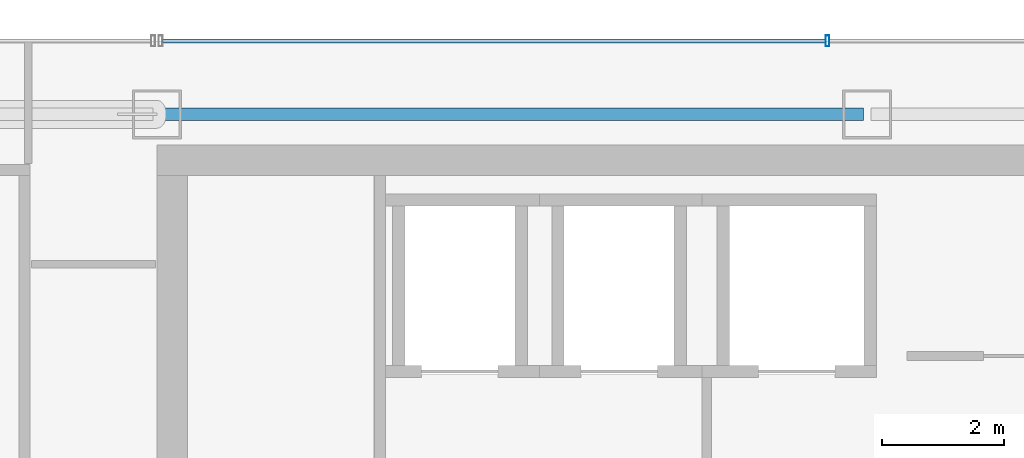
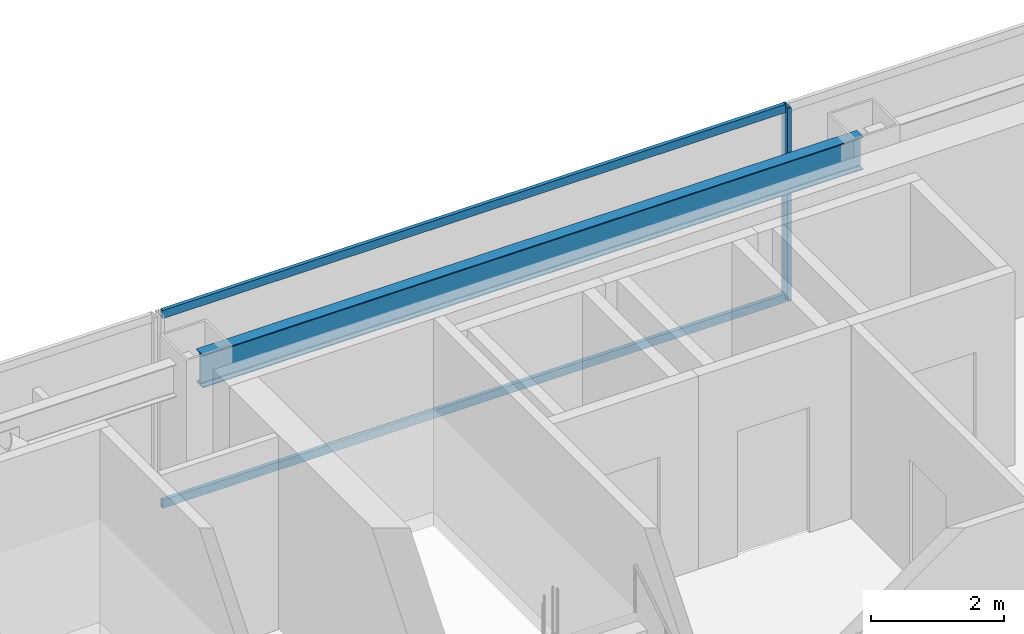
# One storey, part 24 of 36: 3 members, 1 beam, 1 element without a shape of its own.
"""IFC4 building model written with IfcOpenShell, lengths in metres."""

from ifc_helpers import new_model, si_unit, direction, frame, origin, origin_2d, place, context, subcontext, project, spatial, hollow_rectangle, i_section, extrude, material, material_profile, profile_set, type_object, element, aggregate, save


model = new_model("IFC4")

# Units and contexts
model_context = context("Model", 3, precision=1e-05, world=origin(), true_north=direction((0.0, 1.0)))
body_context = subcontext(model_context, "Body", "Model", "MODEL_VIEW")
ifc_project = project(units=[si_unit("LENGTHUNIT", "METRE"), si_unit("AREAUNIT", "SQUARE_METRE"), si_unit("VOLUMEUNIT", "CUBIC_METRE"), si_unit("PLANEANGLEUNIT", "RADIAN"), si_unit("MASSUNIT", "GRAM", prefix="KILO")], contexts=[model_context])

# Site, building, storey
site_placement = place(None, origin())
site = spatial("IfcSite", under=ifc_project, at=site_placement, CompositionType="ELEMENT")
building_placement = place(site_placement, origin())
building = spatial("IfcBuilding", under=site, at=building_placement, Name="Saevonmaru Cultural Tower", CompositionType="ELEMENT")
storey_placement = place(building_placement, frame((0.0, 0.0, 198.0)))
storey = spatial("IfcBuildingStorey", under=building, at=storey_placement, Name="L45", CompositionType="ELEMENT", Elevation=198.0)

# Beam
ifc_material_1 = material(Name="Steel SM355", Category="steel")
ifc_material_profile_1 = material_profile(ifc_material_1, i_section(OverallWidth=0.199951171875, OverallDepth=0.60009765625, WebThickness=0.010986328125, FlangeThickness=0.01708984375, FilletRadius=0.02197265625, at=origin_2d()), Name="H-600x200x11x17")
ifc_profile_set_1 = profile_set([ifc_material_profile_1], Name="Steel SM355")
beam_type = type_object("IfcBeamType", Name="BM-SP-H600", PredefinedType="SPANDREL", material=ifc_profile_set_1)
beam_placement = place(storey_placement, frame((13.659912109375, 54.800048828125, 3.25), z_axis=(1.0, 0.0, 0.0), x_axis=(0.0, 1.0, 0.0)))
element("IfcBeam", 1, at=beam_placement, inside=storey, type_object=beam_type, Name="L45 North Spine Girder 2", PredefinedType="SPANDREL", context=body_context, shape_type="SweptSolid", body=[
    extrude(i_section(OverallWidth=0.199951171875, OverallDepth=0.60009765625, WebThickness=0.010986328125, FlangeThickness=0.01708984375, FilletRadius=0.02197265625, at=origin_2d()), origin(), (0.0, 0.0, 1.0), 11.47998046875),
])

# Curtain wall, members
ifc_material_2 = material(Name="Satin Bronze Anodised Aluminium", Category="aluminium")
curtain_wall_type = type_object("IfcCurtainWallType", Name="CW-TYP-B", PredefinedType="NOTDEFINED", material=ifc_material_2)
curtain_wall_placement = place(storey_placement, origin())
curtain_wall = element("IfcCurtainWall", 2, at=curtain_wall_placement, inside=storey, type_object=curtain_wall_type, Name="L45 North Spine Unitised Curtain Wall E10B", PredefinedType="NOTDEFINED")
ifc_material_profile_2 = material_profile(ifc_material_2, hollow_rectangle(XDim=0.06494140625, YDim=0.179931640625, WallThickness=0.00390625, at=origin_2d()), Name="ALU-MULL-180x65x4")
ifc_profile_set_2 = profile_set([ifc_material_profile_2], Name="Satin Bronze Anodised Aluminium")
member_type_1 = type_object("IfcMemberType", Name="ML-CW-180x65", PredefinedType="MULLION", material=ifc_profile_set_2)
member_1_placement = place(storey_placement, frame((24.55322265625, 56.0, 0.0), z_axis=(0.0, 0.0, 1.0), x_axis=(-1.0, 0.0, 0.0)))
member_1 = element("IfcMember", 3, at=member_1_placement, type_object=member_type_1, Name="CW-TW-L45-E10B mullion 3", PredefinedType="MULLION", context=body_context, shape_type="SweptSolid", body=[
    extrude(hollow_rectangle(XDim=0.06494140625, YDim=0.179931640625, WallThickness=0.00390625, at=origin_2d()), origin(), (0.0, 0.0, 1.0), 3.550048828125),
])
ifc_material_profile_3 = material_profile(ifc_material_2, hollow_rectangle(XDim=0.06494140625, YDim=0.14990234375, WallThickness=0.00390625, at=origin_2d()), Name="ALU-TRAN-150x65x4")
ifc_profile_set_3 = profile_set([ifc_material_profile_3], Name="Satin Bronze Anodised Aluminium")
member_type_2 = type_object("IfcMemberType", Name="TR-CW-150x65", PredefinedType="USERDEFINED", material=ifc_profile_set_3)
member_2_placement = place(storey_placement, frame((24.520751953125, 56.0, 0.032470703125), z_axis=(-1.0, 0.0, 0.0), x_axis=(0.0, -1.0, 0.0)))
member_2 = element("IfcMember", 4, at=member_2_placement, type_object=member_type_2, Name="CW-TW-L45-E10B transom 3.1", ObjectType="TRANSOM", PredefinedType="USERDEFINED", context=body_context, shape_type="SweptSolid", body=[
    extrude(hollow_rectangle(XDim=0.06494140625, YDim=0.14990234375, WallThickness=0.00390625, at=origin_2d()), origin(), (0.0, 0.0, 1.0), 10.828369140625),
])
member_3_placement = place(storey_placement, frame((24.520751953125, 56.0, 3.517578125), z_axis=(-1.0, 0.0, 0.0), x_axis=(0.0, -1.0, 0.0)))
member_3 = element("IfcMember", 5, at=member_3_placement, type_object=member_type_2, Name="CW-TW-L45-E10B transom 3.2", ObjectType="TRANSOM", PredefinedType="USERDEFINED", context=body_context, shape_type="SweptSolid", body=[
    extrude(hollow_rectangle(XDim=0.06494140625, YDim=0.14990234375, WallThickness=0.00390625, at=origin_2d()), origin(), (0.0, 0.0, 1.0), 10.828369140625),
])
aggregate(curtain_wall, [member_1, member_2, member_3])

save(model, "model.ifc")
